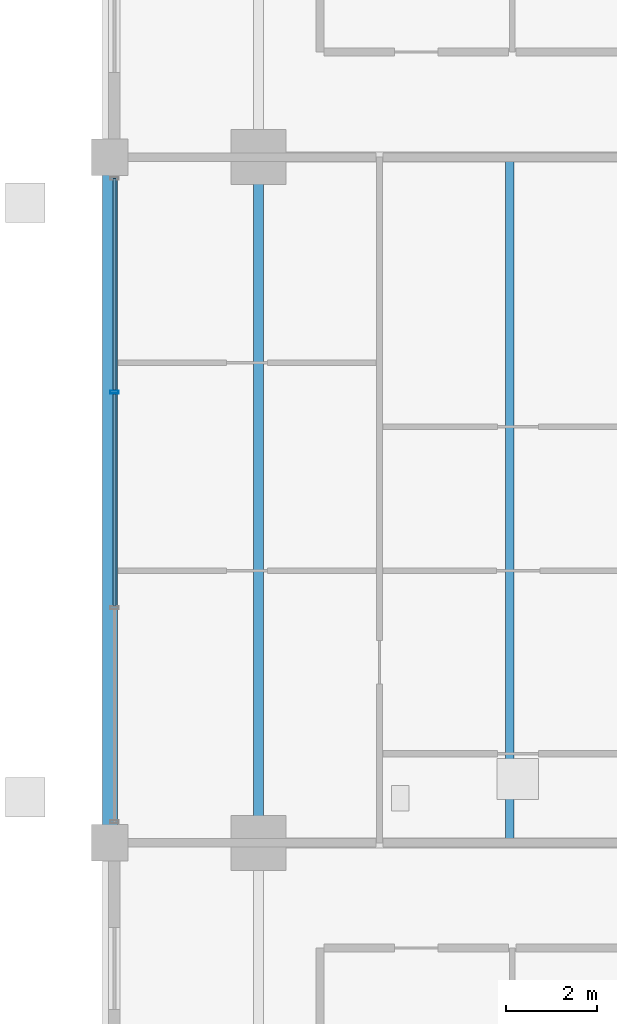
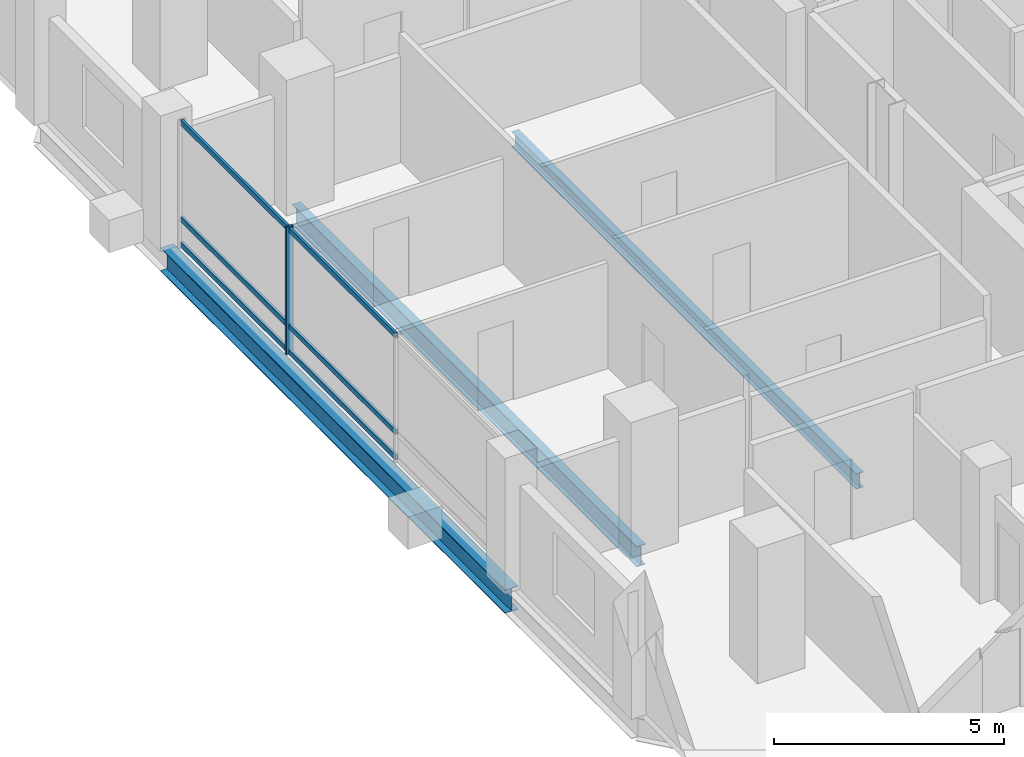
# One storey, part 5 of 20: 7 members, 3 beams, 1 element without a shape of its own.
"""IFC4 building model written with IfcOpenShell, lengths in metres."""

from ifc_helpers import new_model, si_unit, direction, frame, origin, origin_2d, place, context, subcontext, project, spatial, hollow_rectangle, i_section, extrude, material, layer, layer_set, material_profile, profile_set, type_object, element, aggregate, save


model = new_model("IFC4")

# Units and contexts
model_context = context("Model", 3, precision=1e-05, world=origin(), true_north=direction((0.0, 1.0)))
body_context = subcontext(model_context, "Body", "Model", "MODEL_VIEW")
ifc_project = project(units=[si_unit("LENGTHUNIT", "METRE"), si_unit("AREAUNIT", "SQUARE_METRE"), si_unit("VOLUMEUNIT", "CUBIC_METRE"), si_unit("PLANEANGLEUNIT", "RADIAN"), si_unit("MASSUNIT", "GRAM", prefix="KILO")], contexts=[model_context])

# Site, building, storey
site_placement = place(None, origin())
site = spatial("IfcSite", under=ifc_project, at=site_placement, CompositionType="ELEMENT")
building_placement = place(site_placement, origin())
building = spatial("IfcBuilding", under=site, at=building_placement, Name="Barlavira Tower and Art Museum", CompositionType="ELEMENT")
storey_placement = place(building_placement, frame((0.0, 0.0, 136.800048828125)))
storey = spatial("IfcBuildingStorey", under=building, at=storey_placement, Name="L34", CompositionType="ELEMENT", Elevation=136.800048828125)

# Curtain wall, members
ifc_material_1 = material(Name="Low-iron coastal laminated glass", Category="glass")
ifc_layer = layer(ifc_material_1, 0.18994140625, Name="Low-iron coastal laminated glass")
ifc_layer_set = layer_set([ifc_layer], Name="Low-iron coastal laminated glass")
curtain_wall_type = type_object("IfcCurtainWallType", Name="Pale-Metal Unitised Curtain Wall Zone 2", PredefinedType="NOTDEFINED", material=ifc_layer_set)
curtain_wall_placement = place(storey_placement, origin())
curtain_wall = element("IfcCurtainWall", 1, at=curtain_wall_placement, inside=storey, type_object=curtain_wall_type, Name="L34 Curtain Wall CW2-L34-W-B3", PredefinedType="NOTDEFINED")
ifc_material_2 = material(Name="Pale anodised aluminium", Category="aluminium")
ifc_material_profile_1 = material_profile(ifc_material_2, hollow_rectangle(XDim=0.06494140625, YDim=0.179931640625, WallThickness=0.00390625, at=origin_2d()), Name="ALU-MULL 65x180x4")
ifc_profile_set_1 = profile_set([ifc_material_profile_1], Name="Pale anodised aluminium")
member_type_1 = type_object("IfcMemberType", Name="Curtain Wall Pale-Metal Mullion 65x180", PredefinedType="MULLION", material=ifc_profile_set_1)
member_1_placement = place(storey_placement, frame((-20.14990234375, 2.360107421875, 0.0), z_axis=(0.0, 0.0, 1.0), x_axis=(0.0, -1.0, 0.0)))
member_1 = element("IfcMember", 2, at=member_1_placement, type_object=member_type_1, Name="CW2-L34-W-B3 Mullion 1", PredefinedType="MULLION", context=body_context, shape_type="SweptSolid", body=[
    extrude(hollow_rectangle(XDim=0.06494140625, YDim=0.179931640625, WallThickness=0.00390625, at=origin_2d()), origin(), (0.0, 0.0, 1.0), 3.3798828125),
])
ifc_material_profile_2 = material_profile(ifc_material_2, hollow_rectangle(XDim=0.06494140625, YDim=0.139892578125, WallThickness=0.00390625, at=origin_2d()), Name="ALU-TRAN 65x140x4")
ifc_profile_set_2 = profile_set([ifc_material_profile_2], Name="Pale anodised aluminium")
member_type_2 = type_object("IfcMemberType", Name="Curtain Wall Pale-Metal Transom 65x140", PredefinedType="USERDEFINED", material=ifc_profile_set_2)
member_2_placement = place(storey_placement, frame((-20.14990234375, 7.034912109375, 0.070068359375), z_axis=(0.0, -1.0, 0.0), x_axis=(1.0, 0.0, 0.0)))
member_2 = element("IfcMember", 3, at=member_2_placement, type_object=member_type_2, Name="CW2-L34-W-B3 Transom 0.1", ObjectType="TRANSOM", PredefinedType="USERDEFINED", context=body_context, shape_type="SweptSolid", body=[
    extrude(hollow_rectangle(XDim=0.06494140625, YDim=0.139892578125, WallThickness=0.00390625, at=origin_2d()), origin(), (0.0, 0.0, 1.0), 4.6298828125),
])
member_3_placement = place(storey_placement, frame((-20.14990234375, 7.034912109375, 0.743896484375), z_axis=(0.0, -1.0, 0.0), x_axis=(1.0, 0.0, 0.0)))
member_3 = element("IfcMember", 4, at=member_3_placement, type_object=member_type_2, Name="CW2-L34-W-B3 Transom 0.2", ObjectType="TRANSOM", PredefinedType="USERDEFINED", context=body_context, shape_type="SweptSolid", body=[
    extrude(hollow_rectangle(XDim=0.06494140625, YDim=0.139892578125, WallThickness=0.00390625, at=origin_2d()), origin(), (0.0, 0.0, 1.0), 4.6298828125),
])
member_4_placement = place(storey_placement, frame((-20.14990234375, 7.034912109375, 3.31005859375), z_axis=(0.0, -1.0, 0.0), x_axis=(1.0, 0.0, 0.0)))
member_4 = element("IfcMember", 5, at=member_4_placement, type_object=member_type_2, Name="CW2-L34-W-B3 Transom 0.3", ObjectType="TRANSOM", PredefinedType="USERDEFINED", context=body_context, shape_type="SweptSolid", body=[
    extrude(hollow_rectangle(XDim=0.06494140625, YDim=0.139892578125, WallThickness=0.00390625, at=origin_2d()), origin(), (0.0, 0.0, 1.0), 4.6298828125),
])
member_5_placement = place(storey_placement, frame((-20.14990234375, 2.31494140625, 0.070068359375), z_axis=(0.0, -1.0, 0.0), x_axis=(1.0, 0.0, 0.0)))
member_5 = element("IfcMember", 6, at=member_5_placement, type_object=member_type_2, Name="CW2-L34-W-B3 Transom 1.1", ObjectType="TRANSOM", PredefinedType="USERDEFINED", context=body_context, shape_type="SweptSolid", body=[
    extrude(hollow_rectangle(XDim=0.06494140625, YDim=0.139892578125, WallThickness=0.00390625, at=origin_2d()), origin(), (0.0, 0.0, 1.0), 4.6298828125),
])
member_6_placement = place(storey_placement, frame((-20.14990234375, 2.31494140625, 0.743896484375), z_axis=(0.0, -1.0, 0.0), x_axis=(1.0, 0.0, 0.0)))
member_6 = element("IfcMember", 7, at=member_6_placement, type_object=member_type_2, Name="CW2-L34-W-B3 Transom 1.2", ObjectType="TRANSOM", PredefinedType="USERDEFINED", context=body_context, shape_type="SweptSolid", body=[
    extrude(hollow_rectangle(XDim=0.06494140625, YDim=0.139892578125, WallThickness=0.00390625, at=origin_2d()), origin(), (0.0, 0.0, 1.0), 4.6298828125),
])
member_7_placement = place(storey_placement, frame((-20.14990234375, 2.31494140625, 3.31005859375), z_axis=(0.0, -1.0, 0.0), x_axis=(1.0, 0.0, 0.0)))
member_7 = element("IfcMember", 8, at=member_7_placement, type_object=member_type_2, Name="CW2-L34-W-B3 Transom 1.3", ObjectType="TRANSOM", PredefinedType="USERDEFINED", context=body_context, shape_type="SweptSolid", body=[
    extrude(hollow_rectangle(XDim=0.06494140625, YDim=0.139892578125, WallThickness=0.00390625, at=origin_2d()), origin(), (0.0, 0.0, 1.0), 4.6298828125),
])
aggregate(curtain_wall, [member_1, member_2, member_3, member_4, member_5, member_6, member_7])

# Beams
ifc_material_3 = material(Name="Steel S355", Category="steel")
ifc_material_profile_3 = material_profile(ifc_material_3, i_section(OverallWidth=0.327880859375, OverallDepth=0.62890625, WebThickness=0.013916015625, FlangeThickness=0.021484375, at=origin_2d()), Name="W610x174.0")
ifc_profile_set_3 = profile_set([ifc_material_profile_3], Name="Steel S355")
beam_type_1 = type_object("IfcBeamType", Name="Perimeter Spandrel Edge Beam W610x174 Steel S355", PredefinedType="SPANDREL", material=ifc_profile_set_3)
beam_1_placement = place(storey_placement, frame((-20.25, -7.5, -0.53466796875), z_axis=(0.0, 1.0, 0.0), x_axis=(-1.0, 0.0, 0.0)))
element("IfcBeam", 9, at=beam_1_placement, inside=storey, type_object=beam_type_1, Name="L34 Spandrel 14", PredefinedType="SPANDREL", context=body_context, shape_type="SweptSolid", body=[
    extrude(i_section(OverallWidth=0.327880859375, OverallDepth=0.62890625, WebThickness=0.013916015625, FlangeThickness=0.021484375, at=origin_2d()), origin(), (0.0, 0.0, 1.0), 15.0),
])
ifc_material_profile_4 = material_profile(ifc_material_3, i_section(OverallWidth=0.214111328125, OverallDepth=0.549072265625, WebThickness=0.0146484375, FlangeThickness=0.023681640625, at=origin_2d()), Name="W530x138.0")
ifc_profile_set_4 = profile_set([ifc_material_profile_4], Name="Steel S355")
beam_type_2 = type_object("IfcBeamType", Name="Zone 1 Primary Floor Girder W530x138 Steel S355", PredefinedType="BEAM", material=ifc_profile_set_4)
beam_2_placement = place(storey_placement, frame((-17.0, -7.5, -0.49462890625), z_axis=(0.0, 1.0, 0.0), x_axis=(-1.0, 0.0, 0.0)))
element("IfcBeam", 10, at=beam_2_placement, inside=storey, type_object=beam_type_2, Name="L34 Girder M-W2", PredefinedType="BEAM", context=body_context, shape_type="SweptSolid", body=[
    extrude(i_section(OverallWidth=0.214111328125, OverallDepth=0.549072265625, WebThickness=0.0146484375, FlangeThickness=0.023681640625, at=origin_2d()), origin(), (0.0, 0.0, 1.0), 15.0),
])
ifc_material_profile_5 = material_profile(ifc_material_3, i_section(OverallWidth=0.179931640625, OverallDepth=0.4130859375, WebThickness=0.009765625, FlangeThickness=0.01611328125, at=origin_2d()), Name="W410x75.0")
ifc_profile_set_5 = profile_set([ifc_material_profile_5], Name="Steel S355")
beam_type_3 = type_object("IfcBeamType", Name="Zone 2 Composite Floor Joist W410x75 Steel S355", PredefinedType="JOIST", material=ifc_profile_set_5)
beam_3_placement = place(storey_placement, frame((-11.5, -7.5, -0.426513671875), z_axis=(0.0, 1.0, 0.0), x_axis=(-1.0, 0.0, 0.0)))
element("IfcBeam", 11, at=beam_3_placement, inside=storey, type_object=beam_type_3, Name="L34 Joist W1", PredefinedType="JOIST", context=body_context, shape_type="SweptSolid", body=[
    extrude(i_section(OverallWidth=0.179931640625, OverallDepth=0.4130859375, WebThickness=0.009765625, FlangeThickness=0.01611328125, at=origin_2d()), origin(), (0.0, 0.0, 1.0), 15.0),
])

save(model, "model.ifc")
